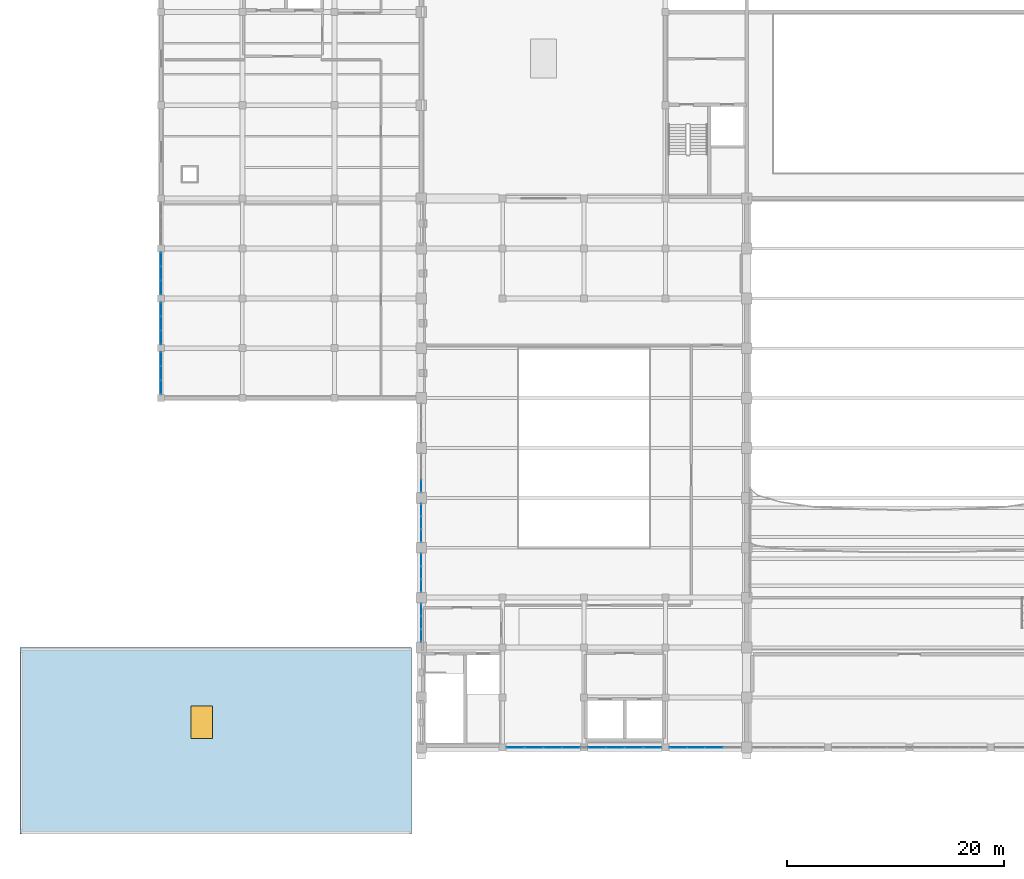
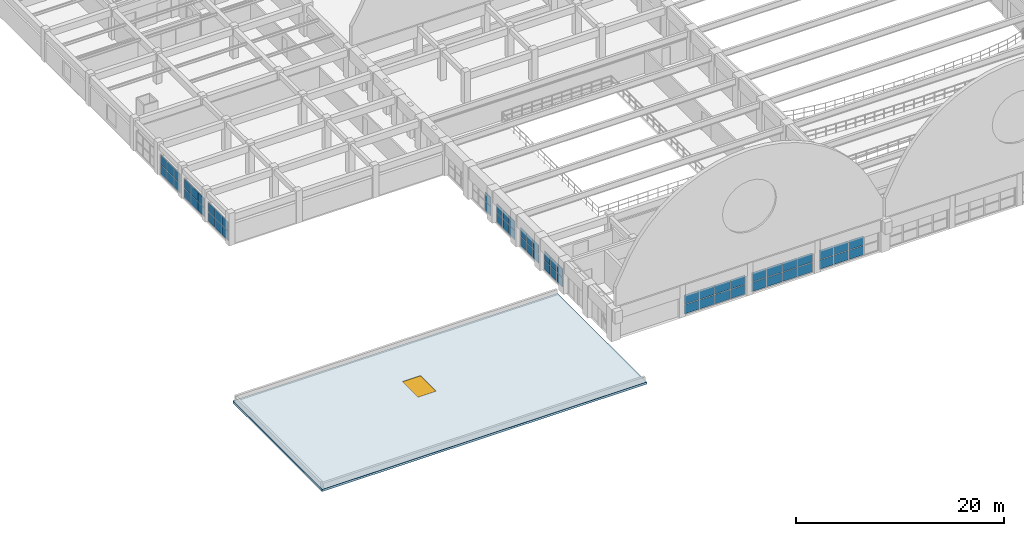
# One storey, part 41 of 74: 60 plates, 1 slab, 1 window, 1 opening, 10 elements without a shape of their own.
"""IFC4 building model written with IfcOpenShell, lengths in metres."""

from ifc_helpers import new_model, si_unit, direction, frame, origin, origin_2d, place, context, subcontext, project, spatial, polyline, rectangle, outline, extrude, material, layer, layer_set, type_object, element, fill, aggregate, save


model = new_model("IFC4")

# Units and contexts
model_context = context("Model", 3, precision=1e-05, world=origin(), true_north=direction((0.0, 1.0)))
body_context = subcontext(model_context, "Body", "Model", "MODEL_VIEW")
ifc_project = project(units=[si_unit("LENGTHUNIT", "METRE"), si_unit("AREAUNIT", "SQUARE_METRE"), si_unit("VOLUMEUNIT", "CUBIC_METRE"), si_unit("PLANEANGLEUNIT", "RADIAN"), si_unit("MASSUNIT", "GRAM", prefix="KILO")], contexts=[model_context])

# Site, building, storey
site_placement = place(None, origin())
site = spatial("IfcSite", under=ifc_project, at=site_placement, CompositionType="ELEMENT")
building_placement = place(site_placement, origin())
building = spatial("IfcBuilding", under=site, at=building_placement, Name="Muzn Square Opera House", CompositionType="ELEMENT")
storey_placement = place(building_placement, frame((0.0, 0.0, 14.199951171875)))
storey = spatial("IfcBuildingStorey", under=building, at=storey_placement, Name="L03", CompositionType="ELEMENT", Elevation=14.199951171875)

# Curtain wall, plates
ifc_material_1 = material(Name="Low-E laminated acoustic double glazing", Category="glass")
ifc_layer_1 = layer(ifc_material_1, 0.159912109375, Name="Low-E laminated acoustic double glazing", Category="glass")
ifc_layer_set_1 = layer_set([ifc_layer_1], Name="Low-E laminated acoustic double glazing")
curtain_wall_type_1 = type_object("IfcCurtainWallType", Name="Glazed Curtain Wall Forecourt 6850x2350", PredefinedType="USERDEFINED", material=ifc_layer_set_1)
curtain_wall_1_placement = place(storey_placement, origin())
curtain_wall_1 = element("IfcCurtainWall", 1, at=curtain_wall_1_placement, inside=storey, type_object=curtain_wall_type_1, Name="Glazed Curtain Wall CW-L03-019", ObjectType="GLAZED CURTAIN WALL", PredefinedType="USERDEFINED")
ifc_layer_2 = layer(ifc_material_1, 0.028076171875, Name="Low-E laminated acoustic double glazing", Category="glass")
ifc_layer_set_2 = layer_set([ifc_layer_2], Name="Low-E laminated acoustic double glazing")
plate_type = type_object("IfcPlateType", Name="Curtain Wall Acoustic Glazed Panel 28mm", PredefinedType="CURTAIN_PANEL", material=ifc_layer_set_2)
plate_1_placement = place(storey_placement, frame((51.6962890625, 22.0, 0.06005859375), z_axis=(0.0, 0.0, 1.0), x_axis=(1.0, 0.0, 0.0)))
plate_1 = element("IfcPlate", 2, at=plate_1_placement, type_object=plate_type, Name="CW-FC-68x23 panel 1.1", PredefinedType="CURTAIN_PANEL", context=body_context, shape_type="SweptSolid", body=[
    extrude(rectangle(XDim=1.62255859375, YDim=0.028076171875, at=origin_2d()), origin(), (0.0, 0.0, 1.0), 1.0849609375),
])
plate_2_placement = place(storey_placement, frame((51.6962890625, 22.0, 1.205078125), z_axis=(0.0, 0.0, 1.0), x_axis=(1.0, 0.0, 0.0)))
plate_2 = element("IfcPlate", 3, at=plate_2_placement, type_object=plate_type, Name="CW-FC-68x23 panel 1.2", PredefinedType="CURTAIN_PANEL", context=body_context, shape_type="SweptSolid", body=[
    extrude(rectangle(XDim=1.62255859375, YDim=0.028076171875, at=origin_2d()), origin(), (0.0, 0.0, 1.0), 1.0849609375),
])
plate_3_placement = place(storey_placement, frame((53.393798828125, 22.0, 0.06005859375), z_axis=(0.0, 0.0, 1.0), x_axis=(1.0, 0.0, 0.0)))
plate_3 = element("IfcPlate", 4, at=plate_3_placement, type_object=plate_type, Name="CW-FC-68x23 panel 2.1", PredefinedType="CURTAIN_PANEL", context=body_context, shape_type="SweptSolid", body=[
    extrude(rectangle(XDim=1.652587890625, YDim=0.028076171875, at=origin_2d()), origin(), (0.0, 0.0, 1.0), 1.0849609375),
])
plate_4_placement = place(storey_placement, frame((53.393798828125, 22.0, 1.205078125), z_axis=(0.0, 0.0, 1.0), x_axis=(1.0, 0.0, 0.0)))
plate_4 = element("IfcPlate", 5, at=plate_4_placement, type_object=plate_type, Name="CW-FC-68x23 panel 2.2", PredefinedType="CURTAIN_PANEL", context=body_context, shape_type="SweptSolid", body=[
    extrude(rectangle(XDim=1.652587890625, YDim=0.028076171875, at=origin_2d()), origin(), (0.0, 0.0, 1.0), 1.0849609375),
])
plate_5_placement = place(storey_placement, frame((55.106201171875, 22.0, 0.06005859375), z_axis=(0.0, 0.0, 1.0), x_axis=(1.0, 0.0, 0.0)))
plate_5 = element("IfcPlate", 6, at=plate_5_placement, type_object=plate_type, Name="CW-FC-68x23 panel 3.1", PredefinedType="CURTAIN_PANEL", context=body_context, shape_type="SweptSolid", body=[
    extrude(rectangle(XDim=1.652587890625, YDim=0.028076171875, at=origin_2d()), origin(), (0.0, 0.0, 1.0), 1.0849609375),
])
plate_6_placement = place(storey_placement, frame((55.106201171875, 22.0, 1.205078125), z_axis=(0.0, 0.0, 1.0), x_axis=(1.0, 0.0, 0.0)))
plate_6 = element("IfcPlate", 7, at=plate_6_placement, type_object=plate_type, Name="CW-FC-68x23 panel 3.2", PredefinedType="CURTAIN_PANEL", context=body_context, shape_type="SweptSolid", body=[
    extrude(rectangle(XDim=1.652587890625, YDim=0.028076171875, at=origin_2d()), origin(), (0.0, 0.0, 1.0), 1.0849609375),
])
plate_7_placement = place(storey_placement, frame((56.8037109375, 22.0, 0.06005859375), z_axis=(0.0, 0.0, 1.0), x_axis=(1.0, 0.0, 0.0)))
plate_7 = element("IfcPlate", 8, at=plate_7_placement, type_object=plate_type, Name="CW-FC-68x23 panel 4.1", PredefinedType="CURTAIN_PANEL", context=body_context, shape_type="SweptSolid", body=[
    extrude(rectangle(XDim=1.62255859375, YDim=0.028076171875, at=origin_2d()), origin(), (0.0, 0.0, 1.0), 1.0849609375),
])
plate_8_placement = place(storey_placement, frame((56.8037109375, 22.0, 1.205078125), z_axis=(0.0, 0.0, 1.0), x_axis=(1.0, 0.0, 0.0)))
plate_8 = element("IfcPlate", 9, at=plate_8_placement, type_object=plate_type, Name="CW-FC-68x23 panel 4.2", PredefinedType="CURTAIN_PANEL", context=body_context, shape_type="SweptSolid", body=[
    extrude(rectangle(XDim=1.62255859375, YDim=0.028076171875, at=origin_2d()), origin(), (0.0, 0.0, 1.0), 1.0849609375),
])
aggregate(curtain_wall_1, [plate_1, plate_2, plate_3, plate_4, plate_5, plate_6, plate_7, plate_8])

curtain_wall_2_placement = place(storey_placement, origin())
curtain_wall_2 = element("IfcCurtainWall", 10, at=curtain_wall_2_placement, inside=storey, type_object=curtain_wall_type_1, Name="Glazed Curtain Wall CW-L03-020", ObjectType="GLAZED CURTAIN WALL", PredefinedType="USERDEFINED")
plate_9_placement = place(storey_placement, frame((59.1962890625, 22.0, 0.06005859375), z_axis=(0.0, 0.0, 1.0), x_axis=(1.0, 0.0, 0.0)))
plate_9 = element("IfcPlate", 11, at=plate_9_placement, type_object=plate_type, Name="CW-FC-68x23 panel 1.1", PredefinedType="CURTAIN_PANEL", context=body_context, shape_type="SweptSolid", body=[
    extrude(rectangle(XDim=1.62255859375, YDim=0.028076171875, at=origin_2d()), origin(), (0.0, 0.0, 1.0), 1.0849609375),
])
plate_10_placement = place(storey_placement, frame((59.1962890625, 22.0, 1.205078125), z_axis=(0.0, 0.0, 1.0), x_axis=(1.0, 0.0, 0.0)))
plate_10 = element("IfcPlate", 12, at=plate_10_placement, type_object=plate_type, Name="CW-FC-68x23 panel 1.2", PredefinedType="CURTAIN_PANEL", context=body_context, shape_type="SweptSolid", body=[
    extrude(rectangle(XDim=1.62255859375, YDim=0.028076171875, at=origin_2d()), origin(), (0.0, 0.0, 1.0), 1.0849609375),
])
plate_11_placement = place(storey_placement, frame((60.893798828125, 22.0, 0.06005859375), z_axis=(0.0, 0.0, 1.0), x_axis=(1.0, 0.0, 0.0)))
plate_11 = element("IfcPlate", 13, at=plate_11_placement, type_object=plate_type, Name="CW-FC-68x23 panel 2.1", PredefinedType="CURTAIN_PANEL", context=body_context, shape_type="SweptSolid", body=[
    extrude(rectangle(XDim=1.652587890625, YDim=0.028076171875, at=origin_2d()), origin(), (0.0, 0.0, 1.0), 1.0849609375),
])
plate_12_placement = place(storey_placement, frame((60.893798828125, 22.0, 1.205078125), z_axis=(0.0, 0.0, 1.0), x_axis=(1.0, 0.0, 0.0)))
plate_12 = element("IfcPlate", 14, at=plate_12_placement, type_object=plate_type, Name="CW-FC-68x23 panel 2.2", PredefinedType="CURTAIN_PANEL", context=body_context, shape_type="SweptSolid", body=[
    extrude(rectangle(XDim=1.652587890625, YDim=0.028076171875, at=origin_2d()), origin(), (0.0, 0.0, 1.0), 1.0849609375),
])
plate_13_placement = place(storey_placement, frame((62.606201171875, 22.0, 0.06005859375), z_axis=(0.0, 0.0, 1.0), x_axis=(1.0, 0.0, 0.0)))
plate_13 = element("IfcPlate", 15, at=plate_13_placement, type_object=plate_type, Name="CW-FC-68x23 panel 3.1", PredefinedType="CURTAIN_PANEL", context=body_context, shape_type="SweptSolid", body=[
    extrude(rectangle(XDim=1.652587890625, YDim=0.028076171875, at=origin_2d()), origin(), (0.0, 0.0, 1.0), 1.0849609375),
])
plate_14_placement = place(storey_placement, frame((62.606201171875, 22.0, 1.205078125), z_axis=(0.0, 0.0, 1.0), x_axis=(1.0, 0.0, 0.0)))
plate_14 = element("IfcPlate", 16, at=plate_14_placement, type_object=plate_type, Name="CW-FC-68x23 panel 3.2", PredefinedType="CURTAIN_PANEL", context=body_context, shape_type="SweptSolid", body=[
    extrude(rectangle(XDim=1.652587890625, YDim=0.028076171875, at=origin_2d()), origin(), (0.0, 0.0, 1.0), 1.0849609375),
])
plate_15_placement = place(storey_placement, frame((64.3037109375, 22.0, 0.06005859375), z_axis=(0.0, 0.0, 1.0), x_axis=(1.0, 0.0, 0.0)))
plate_15 = element("IfcPlate", 17, at=plate_15_placement, type_object=plate_type, Name="CW-FC-68x23 panel 4.1", PredefinedType="CURTAIN_PANEL", context=body_context, shape_type="SweptSolid", body=[
    extrude(rectangle(XDim=1.62255859375, YDim=0.028076171875, at=origin_2d()), origin(), (0.0, 0.0, 1.0), 1.0849609375),
])
plate_16_placement = place(storey_placement, frame((64.3037109375, 22.0, 1.205078125), z_axis=(0.0, 0.0, 1.0), x_axis=(1.0, 0.0, 0.0)))
plate_16 = element("IfcPlate", 18, at=plate_16_placement, type_object=plate_type, Name="CW-FC-68x23 panel 4.2", PredefinedType="CURTAIN_PANEL", context=body_context, shape_type="SweptSolid", body=[
    extrude(rectangle(XDim=1.62255859375, YDim=0.028076171875, at=origin_2d()), origin(), (0.0, 0.0, 1.0), 1.0849609375),
])
aggregate(curtain_wall_2, [plate_9, plate_10, plate_11, plate_12, plate_13, plate_14, plate_15, plate_16])

ifc_layer_3 = layer(ifc_material_1, 0.159912109375, Name="Low-E laminated acoustic double glazing", Category="glass")
ifc_layer_set_3 = layer_set([ifc_layer_3], Name="Low-E laminated acoustic double glazing")
curtain_wall_type_2 = type_object("IfcCurtainWallType", Name="Glazed Curtain Wall Forecourt 6675x2350", PredefinedType="USERDEFINED", material=ifc_layer_set_3)
curtain_wall_3_placement = place(storey_placement, origin())
curtain_wall_3 = element("IfcCurtainWall", 19, at=curtain_wall_3_placement, inside=storey, type_object=curtain_wall_type_2, Name="Glazed Curtain Wall CW-L03-021", ObjectType="GLAZED CURTAIN WALL", PredefinedType="USERDEFINED")
plate_17_placement = place(storey_placement, frame((66.67431640625, 22.0, 0.06005859375), z_axis=(0.0, 0.0, 1.0), x_axis=(1.0, 0.0, 0.0)))
plate_17 = element("IfcPlate", 20, at=plate_17_placement, type_object=plate_type, Name="CW-FC-66x23 panel 1.1", PredefinedType="CURTAIN_PANEL", context=body_context, shape_type="SweptSolid", body=[
    extrude(rectangle(XDim=1.578857421875, YDim=0.028076171875, at=origin_2d()), origin(), (0.0, 0.0, 1.0), 1.0849609375),
])
plate_18_placement = place(storey_placement, frame((66.67431640625, 22.0, 1.205078125), z_axis=(0.0, 0.0, 1.0), x_axis=(1.0, 0.0, 0.0)))
plate_18 = element("IfcPlate", 21, at=plate_18_placement, type_object=plate_type, Name="CW-FC-66x23 panel 1.2", PredefinedType="CURTAIN_PANEL", context=body_context, shape_type="SweptSolid", body=[
    extrude(rectangle(XDim=1.578857421875, YDim=0.028076171875, at=origin_2d()), origin(), (0.0, 0.0, 1.0), 1.0849609375),
])
plate_19_placement = place(storey_placement, frame((68.328125, 22.0, 0.06005859375), z_axis=(0.0, 0.0, 1.0), x_axis=(1.0, 0.0, 0.0)))
plate_19 = element("IfcPlate", 22, at=plate_19_placement, type_object=plate_type, Name="CW-FC-66x23 panel 2.1", PredefinedType="CURTAIN_PANEL", context=body_context, shape_type="SweptSolid", body=[
    extrude(rectangle(XDim=1.608642578125, YDim=0.028076171875, at=origin_2d()), origin(), (0.0, 0.0, 1.0), 1.0849609375),
])
plate_20_placement = place(storey_placement, frame((68.328125, 22.0, 1.205078125), z_axis=(0.0, 0.0, 1.0), x_axis=(1.0, 0.0, 0.0)))
plate_20 = element("IfcPlate", 23, at=plate_20_placement, type_object=plate_type, Name="CW-FC-66x23 panel 2.2", PredefinedType="CURTAIN_PANEL", context=body_context, shape_type="SweptSolid", body=[
    extrude(rectangle(XDim=1.608642578125, YDim=0.028076171875, at=origin_2d()), origin(), (0.0, 0.0, 1.0), 1.0849609375),
])
plate_21_placement = place(storey_placement, frame((69.996826171875, 22.0, 0.06005859375), z_axis=(0.0, 0.0, 1.0), x_axis=(1.0, 0.0, 0.0)))
plate_21 = element("IfcPlate", 24, at=plate_21_placement, type_object=plate_type, Name="CW-FC-66x23 panel 3.1", PredefinedType="CURTAIN_PANEL", context=body_context, shape_type="SweptSolid", body=[
    extrude(rectangle(XDim=1.608642578125, YDim=0.028076171875, at=origin_2d()), origin(), (0.0, 0.0, 1.0), 1.0849609375),
])
plate_22_placement = place(storey_placement, frame((69.996826171875, 22.0, 1.205078125), z_axis=(0.0, 0.0, 1.0), x_axis=(1.0, 0.0, 0.0)))
plate_22 = element("IfcPlate", 25, at=plate_22_placement, type_object=plate_type, Name="CW-FC-66x23 panel 3.2", PredefinedType="CURTAIN_PANEL", context=body_context, shape_type="SweptSolid", body=[
    extrude(rectangle(XDim=1.608642578125, YDim=0.028076171875, at=origin_2d()), origin(), (0.0, 0.0, 1.0), 1.0849609375),
])
aggregate(curtain_wall_3, [plate_17, plate_18, plate_19, plate_20, plate_21, plate_22])

ifc_layer_4 = layer(ifc_material_1, 0.159912109375, Name="Low-E laminated acoustic double glazing", Category="glass")
ifc_layer_set_4 = layer_set([ifc_layer_4], Name="Low-E laminated acoustic double glazing")
curtain_wall_type_3 = type_object("IfcCurtainWallType", Name="Glazed Curtain Wall WestVaultCourt 3600x2300", PredefinedType="USERDEFINED", material=ifc_layer_set_4)
curtain_wall_4_placement = place(storey_placement, origin())
curtain_wall_4 = element("IfcCurtainWall", 26, at=curtain_wall_4_placement, inside=storey, type_object=curtain_wall_type_3, Name="Glazed Curtain Wall CW-L03-059", ObjectType="GLAZED CURTAIN WALL", PredefinedType="USERDEFINED")
plate_23_placement = place(storey_placement, frame((43.0, 32.31494140625, 0.06005859375), z_axis=(0.0, 0.0, 1.0), x_axis=(0.0, 1.0, 0.0)))
plate_23 = element("IfcPlate", 27, at=plate_23_placement, type_object=plate_type, Name="CW-WVC-36x23 panel 1.1", PredefinedType="CURTAIN_PANEL", context=body_context, shape_type="SweptSolid", body=[
    extrude(rectangle(XDim=1.110107421875, YDim=0.028076171875, at=origin_2d()), origin(), (0.0, 0.0, 1.0), 1.06005859375),
])
plate_24_placement = place(storey_placement, frame((43.0, 32.31494140625, 1.179931640625), z_axis=(0.0, 0.0, 1.0), x_axis=(0.0, 1.0, 0.0)))
plate_24 = element("IfcPlate", 28, at=plate_24_placement, type_object=plate_type, Name="CW-WVC-36x23 panel 1.2", PredefinedType="CURTAIN_PANEL", context=body_context, shape_type="SweptSolid", body=[
    extrude(rectangle(XDim=1.110107421875, YDim=0.028076171875, at=origin_2d()), origin(), (0.0, 0.0, 1.0), 1.06005859375),
])
plate_25_placement = place(storey_placement, frame((43.0, 33.5, 0.06005859375), z_axis=(0.0, 0.0, 1.0), x_axis=(0.0, 1.0, 0.0)))
plate_25 = element("IfcPlate", 29, at=plate_25_placement, type_object=plate_type, Name="CW-WVC-36x23 panel 2.1", PredefinedType="CURTAIN_PANEL", context=body_context, shape_type="SweptSolid", body=[
    extrude(rectangle(XDim=1.139892578125, YDim=0.028076171875, at=origin_2d()), origin(), (0.0, 0.0, 1.0), 1.06005859375),
])
plate_26_placement = place(storey_placement, frame((43.0, 33.5, 1.179931640625), z_axis=(0.0, 0.0, 1.0), x_axis=(0.0, 1.0, 0.0)))
plate_26 = element("IfcPlate", 30, at=plate_26_placement, type_object=plate_type, Name="CW-WVC-36x23 panel 2.2", PredefinedType="CURTAIN_PANEL", context=body_context, shape_type="SweptSolid", body=[
    extrude(rectangle(XDim=1.139892578125, YDim=0.028076171875, at=origin_2d()), origin(), (0.0, 0.0, 1.0), 1.06005859375),
])
plate_27_placement = place(storey_placement, frame((43.0, 34.68505859375, 0.06005859375), z_axis=(0.0, 0.0, 1.0), x_axis=(0.0, 1.0, 0.0)))
plate_27 = element("IfcPlate", 31, at=plate_27_placement, type_object=plate_type, Name="CW-WVC-36x23 panel 3.1", PredefinedType="CURTAIN_PANEL", context=body_context, shape_type="SweptSolid", body=[
    extrude(rectangle(XDim=1.110107421875, YDim=0.028076171875, at=origin_2d()), origin(), (0.0, 0.0, 1.0), 1.06005859375),
])
plate_28_placement = place(storey_placement, frame((43.0, 34.68505859375, 1.179931640625), z_axis=(0.0, 0.0, 1.0), x_axis=(0.0, 1.0, 0.0)))
plate_28 = element("IfcPlate", 32, at=plate_28_placement, type_object=plate_type, Name="CW-WVC-36x23 panel 3.2", PredefinedType="CURTAIN_PANEL", context=body_context, shape_type="SweptSolid", body=[
    extrude(rectangle(XDim=1.110107421875, YDim=0.028076171875, at=origin_2d()), origin(), (0.0, 0.0, 1.0), 1.06005859375),
])
aggregate(curtain_wall_4, [plate_23, plate_24, plate_25, plate_26, plate_27, plate_28])

curtain_wall_5_placement = place(storey_placement, origin())
curtain_wall_5 = element("IfcCurtainWall", 33, at=curtain_wall_5_placement, inside=storey, type_object=curtain_wall_type_3, Name="Glazed Curtain Wall CW-L03-061", ObjectType="GLAZED CURTAIN WALL", PredefinedType="USERDEFINED")
plate_29_placement = place(storey_placement, frame((43.0, 36.9150390625, 0.06005859375), z_axis=(0.0, 0.0, 1.0), x_axis=(0.0, 1.0, 0.0)))
plate_29 = element("IfcPlate", 34, at=plate_29_placement, type_object=plate_type, Name="CW-WVC-36x23 panel 1.1", PredefinedType="CURTAIN_PANEL", context=body_context, shape_type="SweptSolid", body=[
    extrude(rectangle(XDim=1.110107421875, YDim=0.028076171875, at=origin_2d()), origin(), (0.0, 0.0, 1.0), 1.06005859375),
])
plate_30_placement = place(storey_placement, frame((43.0, 36.9150390625, 1.179931640625), z_axis=(0.0, 0.0, 1.0), x_axis=(0.0, 1.0, 0.0)))
plate_30 = element("IfcPlate", 35, at=plate_30_placement, type_object=plate_type, Name="CW-WVC-36x23 panel 1.2", PredefinedType="CURTAIN_PANEL", context=body_context, shape_type="SweptSolid", body=[
    extrude(rectangle(XDim=1.110107421875, YDim=0.028076171875, at=origin_2d()), origin(), (0.0, 0.0, 1.0), 1.06005859375),
])
plate_31_placement = place(storey_placement, frame((43.0, 38.10009765625, 0.06005859375), z_axis=(0.0, 0.0, 1.0), x_axis=(0.0, 1.0, 0.0)))
plate_31 = element("IfcPlate", 36, at=plate_31_placement, type_object=plate_type, Name="CW-WVC-36x23 panel 2.1", PredefinedType="CURTAIN_PANEL", context=body_context, shape_type="SweptSolid", body=[
    extrude(rectangle(XDim=1.139892578125, YDim=0.028076171875, at=origin_2d()), origin(), (0.0, 0.0, 1.0), 1.06005859375),
])
plate_32_placement = place(storey_placement, frame((43.0, 38.10009765625, 1.179931640625), z_axis=(0.0, 0.0, 1.0), x_axis=(0.0, 1.0, 0.0)))
plate_32 = element("IfcPlate", 37, at=plate_32_placement, type_object=plate_type, Name="CW-WVC-36x23 panel 2.2", PredefinedType="CURTAIN_PANEL", context=body_context, shape_type="SweptSolid", body=[
    extrude(rectangle(XDim=1.139892578125, YDim=0.028076171875, at=origin_2d()), origin(), (0.0, 0.0, 1.0), 1.06005859375),
])
plate_33_placement = place(storey_placement, frame((43.0, 39.284912109375, 0.06005859375), z_axis=(0.0, 0.0, 1.0), x_axis=(0.0, 1.0, 0.0)))
plate_33 = element("IfcPlate", 38, at=plate_33_placement, type_object=plate_type, Name="CW-WVC-36x23 panel 3.1", PredefinedType="CURTAIN_PANEL", context=body_context, shape_type="SweptSolid", body=[
    extrude(rectangle(XDim=1.110107421875, YDim=0.028076171875, at=origin_2d()), origin(), (0.0, 0.0, 1.0), 1.06005859375),
])
plate_34_placement = place(storey_placement, frame((43.0, 39.284912109375, 1.179931640625), z_axis=(0.0, 0.0, 1.0), x_axis=(0.0, 1.0, 0.0)))
plate_34 = element("IfcPlate", 39, at=plate_34_placement, type_object=plate_type, Name="CW-WVC-36x23 panel 3.2", PredefinedType="CURTAIN_PANEL", context=body_context, shape_type="SweptSolid", body=[
    extrude(rectangle(XDim=1.110107421875, YDim=0.028076171875, at=origin_2d()), origin(), (0.0, 0.0, 1.0), 1.06005859375),
])
aggregate(curtain_wall_5, [plate_29, plate_30, plate_31, plate_32, plate_33, plate_34])

curtain_wall_6_placement = place(storey_placement, origin())
curtain_wall_6 = element("IfcCurtainWall", 40, at=curtain_wall_6_placement, inside=storey, type_object=curtain_wall_type_3, Name="Glazed Curtain Wall CW-L03-063", ObjectType="GLAZED CURTAIN WALL", PredefinedType="USERDEFINED")
plate_35_placement = place(storey_placement, frame((43.0, 41.514892578125, 0.06005859375), z_axis=(0.0, 0.0, 1.0), x_axis=(0.0, 1.0, 0.0)))
plate_35 = element("IfcPlate", 41, at=plate_35_placement, type_object=plate_type, Name="CW-WVC-36x23 panel 1.1", PredefinedType="CURTAIN_PANEL", context=body_context, shape_type="SweptSolid", body=[
    extrude(rectangle(XDim=1.110107421875, YDim=0.028076171875, at=origin_2d()), origin(), (0.0, 0.0, 1.0), 1.06005859375),
])
plate_36_placement = place(storey_placement, frame((43.0, 41.514892578125, 1.179931640625), z_axis=(0.0, 0.0, 1.0), x_axis=(0.0, 1.0, 0.0)))
plate_36 = element("IfcPlate", 42, at=plate_36_placement, type_object=plate_type, Name="CW-WVC-36x23 panel 1.2", PredefinedType="CURTAIN_PANEL", context=body_context, shape_type="SweptSolid", body=[
    extrude(rectangle(XDim=1.110107421875, YDim=0.028076171875, at=origin_2d()), origin(), (0.0, 0.0, 1.0), 1.06005859375),
])
plate_37_placement = place(storey_placement, frame((43.0, 42.699951171875, 0.06005859375), z_axis=(0.0, 0.0, 1.0), x_axis=(0.0, 1.0, 0.0)))
plate_37 = element("IfcPlate", 43, at=plate_37_placement, type_object=plate_type, Name="CW-WVC-36x23 panel 2.1", PredefinedType="CURTAIN_PANEL", context=body_context, shape_type="SweptSolid", body=[
    extrude(rectangle(XDim=1.139892578125, YDim=0.028076171875, at=origin_2d()), origin(), (0.0, 0.0, 1.0), 1.06005859375),
])
plate_38_placement = place(storey_placement, frame((43.0, 42.699951171875, 1.179931640625), z_axis=(0.0, 0.0, 1.0), x_axis=(0.0, 1.0, 0.0)))
plate_38 = element("IfcPlate", 44, at=plate_38_placement, type_object=plate_type, Name="CW-WVC-36x23 panel 2.2", PredefinedType="CURTAIN_PANEL", context=body_context, shape_type="SweptSolid", body=[
    extrude(rectangle(XDim=1.139892578125, YDim=0.028076171875, at=origin_2d()), origin(), (0.0, 0.0, 1.0), 1.06005859375),
])
plate_39_placement = place(storey_placement, frame((43.0, 43.885009765625, 0.06005859375), z_axis=(0.0, 0.0, 1.0), x_axis=(0.0, 1.0, 0.0)))
plate_39 = element("IfcPlate", 45, at=plate_39_placement, type_object=plate_type, Name="CW-WVC-36x23 panel 3.1", PredefinedType="CURTAIN_PANEL", context=body_context, shape_type="SweptSolid", body=[
    extrude(rectangle(XDim=1.110107421875, YDim=0.028076171875, at=origin_2d()), origin(), (0.0, 0.0, 1.0), 1.06005859375),
])
plate_40_placement = place(storey_placement, frame((43.0, 43.885009765625, 1.179931640625), z_axis=(0.0, 0.0, 1.0), x_axis=(0.0, 1.0, 0.0)))
plate_40 = element("IfcPlate", 46, at=plate_40_placement, type_object=plate_type, Name="CW-WVC-36x23 panel 3.2", PredefinedType="CURTAIN_PANEL", context=body_context, shape_type="SweptSolid", body=[
    extrude(rectangle(XDim=1.110107421875, YDim=0.028076171875, at=origin_2d()), origin(), (0.0, 0.0, 1.0), 1.06005859375),
])
aggregate(curtain_wall_6, [plate_35, plate_36, plate_37, plate_38, plate_39, plate_40])

curtain_wall_7_placement = place(storey_placement, origin())
curtain_wall_7 = element("IfcCurtainWall", 47, at=curtain_wall_7_placement, inside=storey, type_object=curtain_wall_type_3, Name="Glazed Curtain Wall CW-L03-065", ObjectType="GLAZED CURTAIN WALL", PredefinedType="USERDEFINED")
plate_41_placement = place(storey_placement, frame((43.0, 46.114990234375, 0.06005859375), z_axis=(0.0, 0.0, 1.0), x_axis=(0.0, 1.0, 0.0)))
plate_41 = element("IfcPlate", 48, at=plate_41_placement, type_object=plate_type, Name="CW-WVC-36x23 panel 1.1", PredefinedType="CURTAIN_PANEL", context=body_context, shape_type="SweptSolid", body=[
    extrude(rectangle(XDim=1.110107421875, YDim=0.028076171875, at=origin_2d()), origin(), (0.0, 0.0, 1.0), 1.06005859375),
])
plate_42_placement = place(storey_placement, frame((43.0, 46.114990234375, 1.179931640625), z_axis=(0.0, 0.0, 1.0), x_axis=(0.0, 1.0, 0.0)))
plate_42 = element("IfcPlate", 49, at=plate_42_placement, type_object=plate_type, Name="CW-WVC-36x23 panel 1.2", PredefinedType="CURTAIN_PANEL", context=body_context, shape_type="SweptSolid", body=[
    extrude(rectangle(XDim=1.110107421875, YDim=0.028076171875, at=origin_2d()), origin(), (0.0, 0.0, 1.0), 1.06005859375),
])
aggregate(curtain_wall_7, [plate_41, plate_42])

ifc_layer_5 = layer(ifc_material_1, 0.159912109375, Name="Low-E laminated acoustic double glazing", Category="glass")
ifc_layer_set_5 = layer_set([ifc_layer_5], Name="Low-E laminated acoustic double glazing")
curtain_wall_type_4 = type_object("IfcCurtainWallType", Name="Glazed Curtain Wall WestCourt 3950x2350", PredefinedType="USERDEFINED", material=ifc_layer_set_5)
curtain_wall_8_placement = place(storey_placement, origin())
curtain_wall_8 = element("IfcCurtainWall", 50, at=curtain_wall_8_placement, inside=storey, type_object=curtain_wall_type_4, Name="Glazed Curtain Wall CW-L03-152", ObjectType="GLAZED CURTAIN WALL", PredefinedType="USERDEFINED")
plate_43_placement = place(storey_placement, frame((19.0, 55.1982421875, 0.06005859375), z_axis=(0.0, 0.0, 1.0), x_axis=(0.0, 1.0, 0.0)))
plate_43 = element("IfcPlate", 51, at=plate_43_placement, type_object=plate_type, Name="CW-WCT-39x23 panel 1.1", PredefinedType="CURTAIN_PANEL", context=body_context, shape_type="SweptSolid", body=[
    extrude(rectangle(XDim=1.2265625, YDim=0.028076171875, at=origin_2d()), origin(), (0.0, 0.0, 1.0), 1.0849609375),
])
plate_44_placement = place(storey_placement, frame((19.0, 55.1982421875, 1.205078125), z_axis=(0.0, 0.0, 1.0), x_axis=(0.0, 1.0, 0.0)))
plate_44 = element("IfcPlate", 52, at=plate_44_placement, type_object=plate_type, Name="CW-WCT-39x23 panel 1.2", PredefinedType="CURTAIN_PANEL", context=body_context, shape_type="SweptSolid", body=[
    extrude(rectangle(XDim=1.2265625, YDim=0.028076171875, at=origin_2d()), origin(), (0.0, 0.0, 1.0), 1.0849609375),
])
plate_45_placement = place(storey_placement, frame((19.0, 56.5, 0.06005859375), z_axis=(0.0, 0.0, 1.0), x_axis=(0.0, 1.0, 0.0)))
plate_45 = element("IfcPlate", 53, at=plate_45_placement, type_object=plate_type, Name="CW-WCT-39x23 panel 2.1", PredefinedType="CURTAIN_PANEL", context=body_context, shape_type="SweptSolid", body=[
    extrude(rectangle(XDim=1.256591796875, YDim=0.028076171875, at=origin_2d()), origin(), (0.0, 0.0, 1.0), 1.0849609375),
])
plate_46_placement = place(storey_placement, frame((19.0, 56.5, 1.205078125), z_axis=(0.0, 0.0, 1.0), x_axis=(0.0, 1.0, 0.0)))
plate_46 = element("IfcPlate", 54, at=plate_46_placement, type_object=plate_type, Name="CW-WCT-39x23 panel 2.2", PredefinedType="CURTAIN_PANEL", context=body_context, shape_type="SweptSolid", body=[
    extrude(rectangle(XDim=1.256591796875, YDim=0.028076171875, at=origin_2d()), origin(), (0.0, 0.0, 1.0), 1.0849609375),
])
plate_47_placement = place(storey_placement, frame((19.0, 57.8017578125, 0.06005859375), z_axis=(0.0, 0.0, 1.0), x_axis=(0.0, 1.0, 0.0)))
plate_47 = element("IfcPlate", 55, at=plate_47_placement, type_object=plate_type, Name="CW-WCT-39x23 panel 3.1", PredefinedType="CURTAIN_PANEL", context=body_context, shape_type="SweptSolid", body=[
    extrude(rectangle(XDim=1.2265625, YDim=0.028076171875, at=origin_2d()), origin(), (0.0, 0.0, 1.0), 1.0849609375),
])
plate_48_placement = place(storey_placement, frame((19.0, 57.8017578125, 1.205078125), z_axis=(0.0, 0.0, 1.0), x_axis=(0.0, 1.0, 0.0)))
plate_48 = element("IfcPlate", 56, at=plate_48_placement, type_object=plate_type, Name="CW-WCT-39x23 panel 3.2", PredefinedType="CURTAIN_PANEL", context=body_context, shape_type="SweptSolid", body=[
    extrude(rectangle(XDim=1.2265625, YDim=0.028076171875, at=origin_2d()), origin(), (0.0, 0.0, 1.0), 1.0849609375),
])
aggregate(curtain_wall_8, [plate_43, plate_44, plate_45, plate_46, plate_47, plate_48])

curtain_wall_9_placement = place(storey_placement, origin())
curtain_wall_9 = element("IfcCurtainWall", 57, at=curtain_wall_9_placement, inside=storey, type_object=curtain_wall_type_4, Name="Glazed Curtain Wall CW-L03-153", ObjectType="GLAZED CURTAIN WALL", PredefinedType="USERDEFINED")
plate_49_placement = place(storey_placement, frame((19.0, 59.79833984375, 0.06005859375), z_axis=(0.0, 0.0, 1.0), x_axis=(0.0, 1.0, 0.0)))
plate_49 = element("IfcPlate", 58, at=plate_49_placement, type_object=plate_type, Name="CW-WCT-39x23 panel 1.1", PredefinedType="CURTAIN_PANEL", context=body_context, shape_type="SweptSolid", body=[
    extrude(rectangle(XDim=1.2265625, YDim=0.028076171875, at=origin_2d()), origin(), (0.0, 0.0, 1.0), 1.0849609375),
])
plate_50_placement = place(storey_placement, frame((19.0, 59.79833984375, 1.205078125), z_axis=(0.0, 0.0, 1.0), x_axis=(0.0, 1.0, 0.0)))
plate_50 = element("IfcPlate", 59, at=plate_50_placement, type_object=plate_type, Name="CW-WCT-39x23 panel 1.2", PredefinedType="CURTAIN_PANEL", context=body_context, shape_type="SweptSolid", body=[
    extrude(rectangle(XDim=1.2265625, YDim=0.028076171875, at=origin_2d()), origin(), (0.0, 0.0, 1.0), 1.0849609375),
])
plate_51_placement = place(storey_placement, frame((19.0, 61.10009765625, 0.06005859375), z_axis=(0.0, 0.0, 1.0), x_axis=(0.0, 1.0, 0.0)))
plate_51 = element("IfcPlate", 60, at=plate_51_placement, type_object=plate_type, Name="CW-WCT-39x23 panel 2.1", PredefinedType="CURTAIN_PANEL", context=body_context, shape_type="SweptSolid", body=[
    extrude(rectangle(XDim=1.256591796875, YDim=0.028076171875, at=origin_2d()), origin(), (0.0, 0.0, 1.0), 1.0849609375),
])
plate_52_placement = place(storey_placement, frame((19.0, 61.10009765625, 1.205078125), z_axis=(0.0, 0.0, 1.0), x_axis=(0.0, 1.0, 0.0)))
plate_52 = element("IfcPlate", 61, at=plate_52_placement, type_object=plate_type, Name="CW-WCT-39x23 panel 2.2", PredefinedType="CURTAIN_PANEL", context=body_context, shape_type="SweptSolid", body=[
    extrude(rectangle(XDim=1.256591796875, YDim=0.028076171875, at=origin_2d()), origin(), (0.0, 0.0, 1.0), 1.0849609375),
])
plate_53_placement = place(storey_placement, frame((19.0, 62.401611328125, 0.06005859375), z_axis=(0.0, 0.0, 1.0), x_axis=(0.0, 1.0, 0.0)))
plate_53 = element("IfcPlate", 62, at=plate_53_placement, type_object=plate_type, Name="CW-WCT-39x23 panel 3.1", PredefinedType="CURTAIN_PANEL", context=body_context, shape_type="SweptSolid", body=[
    extrude(rectangle(XDim=1.2265625, YDim=0.028076171875, at=origin_2d()), origin(), (0.0, 0.0, 1.0), 1.0849609375),
])
plate_54_placement = place(storey_placement, frame((19.0, 62.401611328125, 1.205078125), z_axis=(0.0, 0.0, 1.0), x_axis=(0.0, 1.0, 0.0)))
plate_54 = element("IfcPlate", 63, at=plate_54_placement, type_object=plate_type, Name="CW-WCT-39x23 panel 3.2", PredefinedType="CURTAIN_PANEL", context=body_context, shape_type="SweptSolid", body=[
    extrude(rectangle(XDim=1.2265625, YDim=0.028076171875, at=origin_2d()), origin(), (0.0, 0.0, 1.0), 1.0849609375),
])
aggregate(curtain_wall_9, [plate_49, plate_50, plate_51, plate_52, plate_53, plate_54])

curtain_wall_10_placement = place(storey_placement, origin())
curtain_wall_10 = element("IfcCurtainWall", 64, at=curtain_wall_10_placement, inside=storey, type_object=curtain_wall_type_4, Name="Glazed Curtain Wall CW-L03-154", ObjectType="GLAZED CURTAIN WALL", PredefinedType="USERDEFINED")
plate_55_placement = place(storey_placement, frame((19.0, 64.3984375, 0.06005859375), z_axis=(0.0, 0.0, 1.0), x_axis=(0.0, 1.0, 0.0)))
plate_55 = element("IfcPlate", 65, at=plate_55_placement, type_object=plate_type, Name="CW-WCT-39x23 panel 1.1", PredefinedType="CURTAIN_PANEL", context=body_context, shape_type="SweptSolid", body=[
    extrude(rectangle(XDim=1.2265625, YDim=0.028076171875, at=origin_2d()), origin(), (0.0, 0.0, 1.0), 1.0849609375),
])
plate_56_placement = place(storey_placement, frame((19.0, 64.3984375, 1.205078125), z_axis=(0.0, 0.0, 1.0), x_axis=(0.0, 1.0, 0.0)))
plate_56 = element("IfcPlate", 66, at=plate_56_placement, type_object=plate_type, Name="CW-WCT-39x23 panel 1.2", PredefinedType="CURTAIN_PANEL", context=body_context, shape_type="SweptSolid", body=[
    extrude(rectangle(XDim=1.2265625, YDim=0.028076171875, at=origin_2d()), origin(), (0.0, 0.0, 1.0), 1.0849609375),
])
plate_57_placement = place(storey_placement, frame((19.0, 65.699951171875, 0.06005859375), z_axis=(0.0, 0.0, 1.0), x_axis=(0.0, 1.0, 0.0)))
plate_57 = element("IfcPlate", 67, at=plate_57_placement, type_object=plate_type, Name="CW-WCT-39x23 panel 2.1", PredefinedType="CURTAIN_PANEL", context=body_context, shape_type="SweptSolid", body=[
    extrude(rectangle(XDim=1.256591796875, YDim=0.028076171875, at=origin_2d()), origin(), (0.0, 0.0, 1.0), 1.0849609375),
])
plate_58_placement = place(storey_placement, frame((19.0, 65.699951171875, 1.205078125), z_axis=(0.0, 0.0, 1.0), x_axis=(0.0, 1.0, 0.0)))
plate_58 = element("IfcPlate", 68, at=plate_58_placement, type_object=plate_type, Name="CW-WCT-39x23 panel 2.2", PredefinedType="CURTAIN_PANEL", context=body_context, shape_type="SweptSolid", body=[
    extrude(rectangle(XDim=1.256591796875, YDim=0.028076171875, at=origin_2d()), origin(), (0.0, 0.0, 1.0), 1.0849609375),
])
plate_59_placement = place(storey_placement, frame((19.0, 67.001708984375, 0.06005859375), z_axis=(0.0, 0.0, 1.0), x_axis=(0.0, 1.0, 0.0)))
plate_59 = element("IfcPlate", 69, at=plate_59_placement, type_object=plate_type, Name="CW-WCT-39x23 panel 3.1", PredefinedType="CURTAIN_PANEL", context=body_context, shape_type="SweptSolid", body=[
    extrude(rectangle(XDim=1.2265625, YDim=0.028076171875, at=origin_2d()), origin(), (0.0, 0.0, 1.0), 1.0849609375),
])
plate_60_placement = place(storey_placement, frame((19.0, 67.001708984375, 1.205078125), z_axis=(0.0, 0.0, 1.0), x_axis=(0.0, 1.0, 0.0)))
plate_60 = element("IfcPlate", 70, at=plate_60_placement, type_object=plate_type, Name="CW-WCT-39x23 panel 3.2", PredefinedType="CURTAIN_PANEL", context=body_context, shape_type="SweptSolid", body=[
    extrude(rectangle(XDim=1.2265625, YDim=0.028076171875, at=origin_2d()), origin(), (0.0, 0.0, 1.0), 1.0849609375),
])
aggregate(curtain_wall_10, [plate_55, plate_56, plate_57, plate_58, plate_59, plate_60])

# Slab, opening, window
ifc_material_2 = material(Name="Concrete C40/50", Category="concrete")
ifc_layer_6 = layer(ifc_material_2, 0.25, Name="Concrete C40/50", Category="concrete")
ifc_layer_set_6 = layer_set([ifc_layer_6], Name="Concrete C40/50")
slab_type = type_object("IfcSlabType", Name="Roof Slab 250mm", PredefinedType="ROOF", material=ifc_layer_set_6)
slab_placement = place(storey_placement, frame((0.0, 0.0, -0.25)))
slab = element("IfcSlab", 71, at=slab_placement, inside=storey, type_object=slab_type, Name="Flat Roof Slab ROOF-L03-WSOUTH", PredefinedType="ROOF", context=body_context, shape_type="SweptSolid", body=[
    extrude(outline(polyline([(6.0, 14.0), (42.10009765625, 14.0), (42.10009765625, 31.199951171875), (6.0, 31.199951171875), (6.0, 14.0)])), origin(), (0.0, 0.0, 1.0), 0.25),
])
opening_placement = place(slab_placement, frame((22.75, 24.300048828125, -0.010009765625)))
opening = element("IfcOpeningElement", 72, at=opening_placement, cuts=slab, Name="Opening SK-2030", PredefinedType="OPENING", context=body_context, shape_type="SweptSolid", body=[
    extrude(rectangle(XDim=2.0, YDim=3.0, at=origin_2d()), origin(), (0.0, 0.0, 1.0), 0.27001953125),
])
window_type = type_object("IfcWindowType", Name="Roof Skylight 2000x3000", PartitioningType="SINGLE_PANEL", PredefinedType="SKYLIGHT", material=ifc_material_1)
window_placement = place(slab_placement, frame((22.75, 24.300048828125, 0.18994140625)))
window = element("IfcWindow", 73, at=window_placement, inside=storey, type_object=window_type, Name="Acoustic Roof Skylight SKY-L03-16", OverallHeight=3.0, OverallWidth=2.0, PartitioningType="SINGLE_PANEL", PredefinedType="SKYLIGHT", context=body_context, shape_type="SweptSolid", body=[
    extrude(rectangle(XDim=2.0, YDim=3.0, at=origin_2d()), origin(), (0.0, 0.0, 1.0), 0.06005859375),
])
fill(opening, window)

save(model, "model.ifc")
